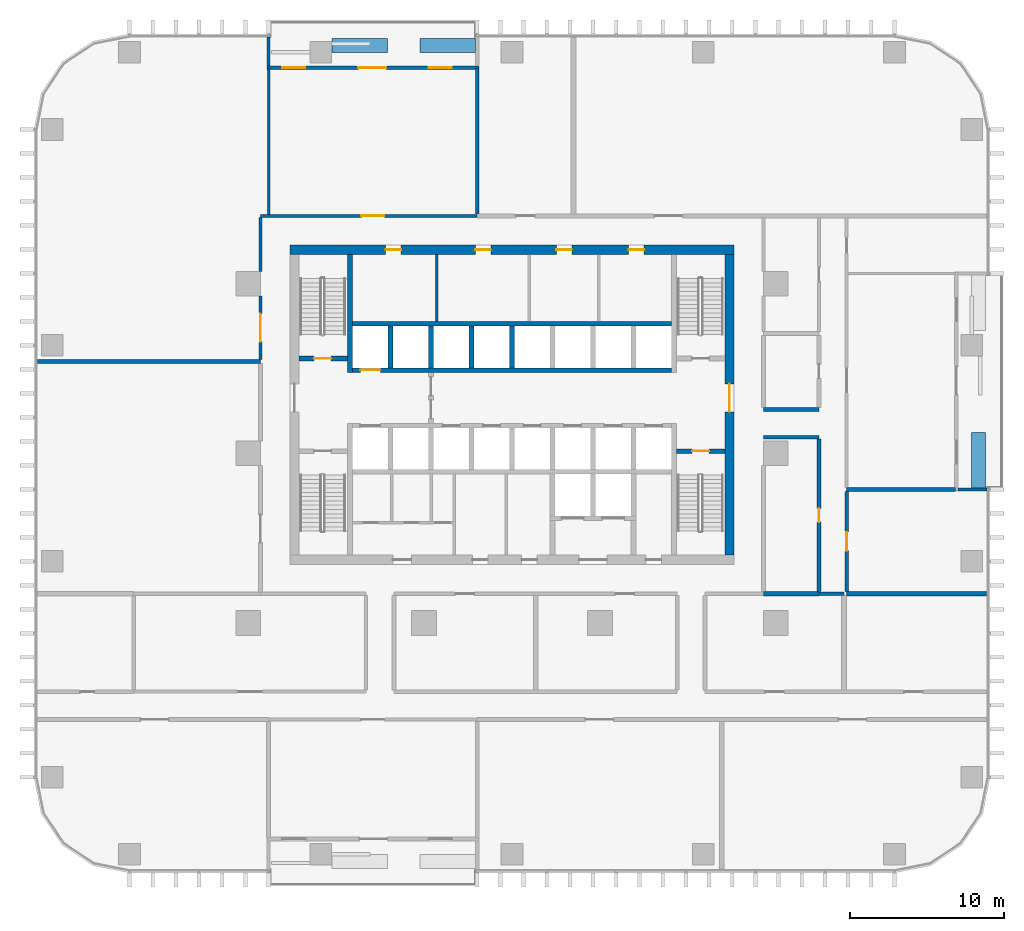
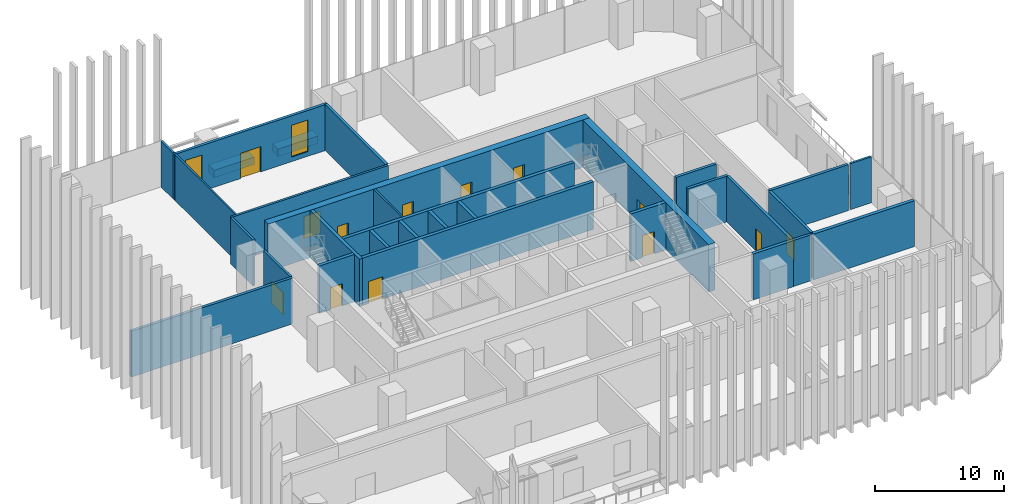
# One storey, part 9 of 17: 32 walls, 13 doors, 2 windows, 15 openings.
"""IFC4 building model written with IfcOpenShell, lengths in metres."""

from ifc_helpers import new_model, si_unit, direction, frame, frame_2d, origin, place, context, subcontext, project, spatial, rectangle, extrude, material, layer, layer_set, type_object, element, fill, save


model = new_model("IFC4")

# Units and contexts
model_context = context("Model", 3, precision=1e-05, world=origin(), true_north=direction((0.0, 1.0)))
body_context = subcontext(model_context, "Body", "Model", "MODEL_VIEW")
ifc_project = project(units=[si_unit("LENGTHUNIT", "METRE"), si_unit("AREAUNIT", "SQUARE_METRE"), si_unit("VOLUMEUNIT", "CUBIC_METRE"), si_unit("PLANEANGLEUNIT", "RADIAN"), si_unit("MASSUNIT", "GRAM", prefix="KILO")], contexts=[model_context])

# Site, building, storey
site_placement = place(None, origin())
site = spatial("IfcSite", under=ifc_project, at=site_placement, CompositionType="ELEMENT")
building_placement = place(site_placement, origin())
building = spatial("IfcBuilding", under=site, at=building_placement, Name="Mopane Tessera Tower", CompositionType="ELEMENT")
storey_placement = place(building_placement, frame((0.0, 0.0, 74.199951171875)))
storey = spatial("IfcBuildingStorey", under=building, at=storey_placement, Name="L14", CompositionType="ELEMENT", Elevation=74.199951171875)

# Wall
ifc_material_1 = material(Name="Fire-rated gypsum board partition")
ifc_layer_1 = layer(ifc_material_1, 0.14990234375)
ifc_layer_set_1 = layer_set([ifc_layer_1], Name="Fire-rated gypsum board partition")
wall_type_1 = type_object("IfcWallType", Name="Core room partition 150 mm", PredefinedType="PARTITIONING", material=ifc_layer_set_1)
wall_1_placement = place(storey_placement, frame((-4.875, 8.550048828125, 0.0), z_axis=(0.0, 0.0, 1.0), x_axis=(0.0, 1.0, 0.0)))
element("IfcWall", 1, at=wall_1_placement, inside=storey, type_object=wall_type_1, Name="L14 Room partition", PredefinedType="PARTITIONING", context=body_context, shape_type="SweptSolid", body=[
    extrude(rectangle(XDim=4.349853515625, YDim=0.14990234375, at=frame_2d((2.1748046875, 0.0))), origin(), (0.0, 0.0, 1.0), 4.5),
])

# Wall, openings, doors
ifc_material_2 = material(Name="Concrete C70/85", Category="concrete")
ifc_layer_2 = layer(ifc_material_2, 0.60009765625)
ifc_layer_set_2 = layer_set([ifc_layer_2], Name="Concrete C70/85")
wall_type_2 = type_object("IfcWallType", Name="Core shear wall 600 mm", PredefinedType="SHEAR", material=ifc_layer_set_2)
wall_2_placement = place(storey_placement, frame((-14.39990234375, 13.199951171875, 0.0), z_axis=(0.0, 0.0, 1.0), x_axis=(1.0, 0.0, 0.0)))
wall_2 = element("IfcWall", 2, at=wall_2_placement, inside=storey, type_object=wall_type_2, Name="L14 Core wall north", PredefinedType="SHEAR", context=body_context, shape_type="SweptSolid", body=[
    extrude(rectangle(XDim=28.7998046875, YDim=0.60009765625, at=frame_2d((14.39990234375, 0.0))), origin(), (0.0, 0.0, 1.0), 4.5),
])
opening_1_placement = place(wall_2_placement, frame((6.21240234375, 0.0, 0.0)))
opening_1 = element("IfcOpeningElement", 3, at=opening_1_placement, cuts=wall_2, Name="Opening RD1", PredefinedType="OPENING", context=body_context, shape_type="SweptSolid", body=[
    extrude(rectangle(XDim=1.0, YDim=2.10009765625, at=frame_2d((0.5, 1.050048828125))), frame((0.0, 0.31201171875, 0.0), z_axis=(0.0, -1.0, 0.0), x_axis=(1.0, 0.0, 0.0)), (0.0, 0.0, 1.0), 0.6240234375),
])
opening_2_placement = place(wall_2_placement, frame((12.02490234375, 0.0, 0.0)))
opening_2 = element("IfcOpeningElement", 4, at=opening_2_placement, cuts=wall_2, Name="Opening RD1", PredefinedType="OPENING", context=body_context, shape_type="SweptSolid", body=[
    extrude(rectangle(XDim=1.0, YDim=2.10009765625, at=frame_2d((0.5, 1.050048828125))), frame((0.0, 0.31201171875, 0.0), z_axis=(0.0, -1.0, 0.0), x_axis=(1.0, 0.0, 0.0)), (0.0, 0.0, 1.0), 0.6240234375),
])
opening_3_placement = place(wall_2_placement, frame((17.27490234375, 0.0, 0.0)))
opening_3 = element("IfcOpeningElement", 5, at=opening_3_placement, cuts=wall_2, Name="Opening RD1", PredefinedType="OPENING", context=body_context, shape_type="SweptSolid", body=[
    extrude(rectangle(XDim=1.0, YDim=2.10009765625, at=frame_2d((0.5, 1.050048828125))), frame((0.0, 0.31201171875, 0.0), z_axis=(0.0, -1.0, 0.0), x_axis=(1.0, 0.0, 0.0)), (0.0, 0.0, 1.0), 0.6240234375),
])
opening_4_placement = place(wall_2_placement, frame((21.96240234375, 0.0, 0.0)))
opening_4 = element("IfcOpeningElement", 6, at=opening_4_placement, cuts=wall_2, Name="Opening RD1", PredefinedType="OPENING", context=body_context, shape_type="SweptSolid", body=[
    extrude(rectangle(XDim=1.0, YDim=2.10009765625, at=frame_2d((0.5, 1.050048828125))), frame((0.0, 0.31201171875, 0.0), z_axis=(0.0, -1.0, 0.0), x_axis=(1.0, 0.0, 0.0)), (0.0, 0.0, 1.0), 0.6240234375),
])
ifc_material_3 = material(Name="Timber door", Category="wood")
door_type_1 = type_object("IfcDoorType", Name="Core room door 1000 x 2100", OperationType="SINGLE_SWING_LEFT", PredefinedType="DOOR", material=ifc_material_3)
door_1_placement = place(opening_1_placement, origin())
door_1 = element("IfcDoor", 7, at=door_1_placement, inside=storey, type_object=door_type_1, Name="L14 Room door", OperationType="SINGLE_SWING_LEFT", OverallHeight=2.10009765625, OverallWidth=1.0, PredefinedType="DOOR", context=body_context, shape_type="SweptSolid", body=[
    extrude(rectangle(XDim=1.0, YDim=2.10009765625, at=frame_2d((0.5, 1.050048828125))), frame((0.0, 0.02490234375, 0.0), z_axis=(0.0, -1.0, 0.0), x_axis=(1.0, 0.0, 0.0)), (0.0, 0.0, 1.0), 0.050048828125),
])
fill(opening_1, door_1)
door_2_placement = place(opening_2_placement, origin())
door_2 = element("IfcDoor", 8, at=door_2_placement, inside=storey, type_object=door_type_1, Name="L14 Room door", OperationType="SINGLE_SWING_LEFT", OverallHeight=2.10009765625, OverallWidth=1.0, PredefinedType="DOOR", context=body_context, shape_type="SweptSolid", body=[
    extrude(rectangle(XDim=1.0, YDim=2.10009765625, at=frame_2d((0.5, 1.050048828125))), frame((0.0, 0.02490234375, 0.0), z_axis=(0.0, -1.0, 0.0), x_axis=(1.0, 0.0, 0.0)), (0.0, 0.0, 1.0), 0.050048828125),
])
fill(opening_2, door_2)
door_3_placement = place(opening_3_placement, origin())
door_3 = element("IfcDoor", 9, at=door_3_placement, inside=storey, type_object=door_type_1, Name="L14 Room door", OperationType="SINGLE_SWING_LEFT", OverallHeight=2.10009765625, OverallWidth=1.0, PredefinedType="DOOR", context=body_context, shape_type="SweptSolid", body=[
    extrude(rectangle(XDim=1.0, YDim=2.10009765625, at=frame_2d((0.5, 1.050048828125))), frame((0.0, 0.02490234375, 0.0), z_axis=(0.0, -1.0, 0.0), x_axis=(1.0, 0.0, 0.0)), (0.0, 0.0, 1.0), 0.050048828125),
])
fill(opening_3, door_3)
door_4_placement = place(opening_4_placement, origin())
door_4 = element("IfcDoor", 10, at=door_4_placement, inside=storey, type_object=door_type_1, Name="L14 Room door", OperationType="SINGLE_SWING_LEFT", OverallHeight=2.10009765625, OverallWidth=1.0, PredefinedType="DOOR", context=body_context, shape_type="SweptSolid", body=[
    extrude(rectangle(XDim=1.0, YDim=2.10009765625, at=frame_2d((0.5, 1.050048828125))), frame((0.0, 0.02490234375, 0.0), z_axis=(0.0, -1.0, 0.0), x_axis=(1.0, 0.0, 0.0)), (0.0, 0.0, 1.0), 0.050048828125),
])
fill(opening_4, door_4)

# Wall, opening, door
wall_3_placement = place(storey_placement, frame((14.10009765625, -6.60009765625, 0.0), z_axis=(0.0, 0.0, 1.0), x_axis=(0.0, 1.0, 0.0)))
wall_3 = element("IfcWall", 11, at=wall_3_placement, inside=storey, type_object=wall_type_2, Name="L14 Core wall east", PredefinedType="SHEAR", context=body_context, shape_type="SweptSolid", body=[
    extrude(rectangle(XDim=19.5, YDim=0.60009765625, at=frame_2d((9.75, 0.0))), origin(), (0.0, 0.0, 1.0), 4.5),
])
opening_5_placement = place(wall_3_placement, frame((9.300048828125, 0.0, 0.0)))
opening_5 = element("IfcOpeningElement", 12, at=opening_5_placement, cuts=wall_3, Name="Opening SD2", PredefinedType="OPENING", context=body_context, shape_type="SweptSolid", body=[
    extrude(rectangle(XDim=1.800048828125, YDim=2.10009765625, at=frame_2d((0.89990234375, 1.050048828125))), frame((0.0, 0.31201171875, 0.0), z_axis=(0.0, -1.0, 0.0), x_axis=(1.0, 0.0, 0.0)), (0.0, 0.0, 1.0), 0.6240234375),
])
ifc_material_4 = material(Name="Steel fire door", Category="steel")
door_type_2 = type_object("IfcDoorType", Name="Core entrance double door 1800 x 2100", OperationType="DOUBLE_DOOR_SINGLE_SWING", PredefinedType="DOOR", material=ifc_material_4)
door_5_placement = place(opening_5_placement, origin())
door_5 = element("IfcDoor", 13, at=door_5_placement, inside=storey, type_object=door_type_2, Name="L14 Core entrance door east", OperationType="DOUBLE_DOOR_SINGLE_SWING", OverallHeight=2.10009765625, OverallWidth=1.800048828125, PredefinedType="DOOR", context=body_context, shape_type="SweptSolid", body=[
    extrude(rectangle(XDim=1.800048828125, YDim=2.10009765625, at=frame_2d((0.89990234375, 1.050048828125))), frame((0.0, 0.02490234375, 0.0), z_axis=(0.0, -1.0, 0.0), x_axis=(1.0, 0.0, 0.0)), (0.0, 0.0, 1.0), 0.050048828125),
])
fill(opening_5, door_5)

# Wall
ifc_material_5 = material(Name="Concrete C60/75", Category="concrete")
ifc_layer_3 = layer(ifc_material_5, 0.300048828125)
ifc_layer_set_3 = layer_set([ifc_layer_3], Name="Concrete C60/75")
wall_type_3 = type_object("IfcWallType", Name="Core spine wall 300 mm", PredefinedType="SHEAR", material=ifc_layer_set_3)
wall_4_placement = place(storey_placement, frame((-10.5, 5.25, 0.0), z_axis=(0.0, 0.0, 1.0), x_axis=(0.0, 1.0, 0.0)))
element("IfcWall", 14, at=wall_4_placement, inside=storey, type_object=wall_type_3, Name="L14 Core spine wall", PredefinedType="SHEAR", context=body_context, shape_type="SweptSolid", body=[
    extrude(rectangle(XDim=7.64990234375, YDim=0.300048828125, at=frame_2d((3.824951171875, 0.0))), origin(), (0.0, 0.0, 1.0), 4.5),
])

# Wall, opening, door
ifc_material_6 = material(Name="Gypsum board on steel studs, two layers each face, mineral wool infill", Category="steel")
ifc_layer_4 = layer(ifc_material_6, 0.199951171875)
ifc_layer_set_4 = layer_set([ifc_layer_4], Name="Gypsum board on steel studs, two layers each face, mineral wool infill")
wall_type_4 = type_object("IfcWallType", Name="Gypsum board corridor wall 200, rated EI 60", PredefinedType="PARTITIONING", material=ifc_layer_set_4)
wall_5_placement = place(storey_placement, frame((-16.300048828125, 15.39990234375, 0.0), z_axis=(0.0, 0.0, 1.0), x_axis=(1.0, 0.0, 0.0)))
wall_5 = element("IfcWall", 15, at=wall_5_placement, inside=storey, type_object=wall_type_4, Name="Partition L14:021", PredefinedType="PARTITIONING", context=body_context, shape_type="SweptSolid", body=[
    extrude(rectangle(XDim=14.045166015625, YDim=0.199951171875, at=frame_2d((7.0224609375, 0.0))), origin(), (0.0, 0.0, 1.0), 4.35009765625),
])
opening_6_placement = place(wall_5_placement, frame((6.532470703125, 0.0, 0.0)))
opening_6 = element("IfcOpeningElement", 16, at=opening_6_placement, cuts=wall_5, Name="Opening L14-19", PredefinedType="OPENING", context=body_context, shape_type="SweptSolid", body=[
    extrude(rectangle(XDim=1.5, YDim=2.10009765625, at=frame_2d((0.75, 1.050048828125))), frame((0.0, 0.112060546875, 0.0), z_axis=(0.0, -1.0, 0.0), x_axis=(1.0, 0.0, 0.0)), (0.0, 0.0, 1.0), 0.223876953125),
])
ifc_material_7 = material(Name="Timber veneered steel-framed fire door", Category="steel")
door_type_3 = type_object("IfcDoorType", Name="Fire door pair FD60 1500 x 2100", OperationType="DOUBLE_DOOR_SINGLE_SWING", PredefinedType="DOOR", material=ifc_material_7)
door_6_placement = place(opening_6_placement, origin())
door_6 = element("IfcDoor", 17, at=door_6_placement, inside=storey, type_object=door_type_3, Name="Door L14-19", ObjectType="D17A", OperationType="DOUBLE_DOOR_SINGLE_SWING", OverallHeight=2.10009765625, OverallWidth=1.5, PredefinedType="DOOR", context=body_context, shape_type="SweptSolid", body=[
    extrude(rectangle(XDim=1.5, YDim=2.10009765625, at=frame_2d((0.75, 1.050048828125))), frame((0.0, 0.02490234375, 0.0), z_axis=(0.0, -1.0, 0.0), x_axis=(1.0, 0.0, 0.0)), (0.0, 0.0, 1.0), 0.050048828125),
])
fill(opening_6, door_6)

wall_6_placement = place(storey_placement, frame((-16.300048828125, 6.0849609375, 0.0), z_axis=(0.0, 0.0, 1.0), x_axis=(0.0, 1.0, 0.0)))
wall_6 = element("IfcWall", 18, at=wall_6_placement, inside=storey, type_object=wall_type_4, Name="Partition L14:024", PredefinedType="PARTITIONING", context=body_context, shape_type="SweptSolid", body=[
    extrude(rectangle(XDim=4.114990234375, YDim=0.199951171875, at=frame_2d((2.0576171875, 0.0))), origin(), (0.0, 0.0, 1.0), 4.35009765625),
])
opening_7_placement = place(wall_6_placement, frame((1.157470703125, 0.0, 0.0)))
opening_7 = element("IfcOpeningElement", 19, at=opening_7_placement, cuts=wall_6, Name="Opening L14-03", PredefinedType="OPENING", context=body_context, shape_type="SweptSolid", body=[
    extrude(rectangle(XDim=1.800048828125, YDim=2.10009765625, at=frame_2d((0.89990234375, 1.050048828125))), frame((0.0, 0.112060546875, 0.0), z_axis=(0.0, -1.0, 0.0), x_axis=(1.0, 0.0, 0.0)), (0.0, 0.0, 1.0), 0.223876953125),
])
ifc_material_8 = material(Name="Timber veneered steel-framed fire door", Category="steel")
door_type_4 = type_object("IfcDoorType", Name="Fire door pair FD60 1800 x 2100", OperationType="DOUBLE_DOOR_SINGLE_SWING", PredefinedType="DOOR", material=ifc_material_8)
door_7_placement = place(opening_7_placement, origin())
door_7 = element("IfcDoor", 20, at=door_7_placement, inside=storey, type_object=door_type_4, Name="Door L14-03", ObjectType="D20A", OperationType="DOUBLE_DOOR_SINGLE_SWING", OverallHeight=2.10009765625, OverallWidth=1.800048828125, PredefinedType="DOOR", context=body_context, shape_type="SweptSolid", body=[
    extrude(rectangle(XDim=1.800048828125, YDim=2.10009765625, at=frame_2d((0.89990234375, 1.050048828125))), frame((0.0, 0.02490234375, 0.0), z_axis=(0.0, -1.0, 0.0), x_axis=(1.0, 0.0, 0.0)), (0.0, 0.0, 1.0), 0.050048828125),
])
fill(opening_7, door_7)

# Walls
wall_7_placement = place(storey_placement, frame((-16.300048828125, 11.800048828125, 0.0), z_axis=(0.0, 0.0, 1.0), x_axis=(0.0, 1.0, 0.0)))
element("IfcWall", 21, at=wall_7_placement, inside=storey, type_object=wall_type_4, Name="Partition L14:025", PredefinedType="PARTITIONING", context=body_context, shape_type="SweptSolid", body=[
    extrude(rectangle(XDim=3.5, YDim=0.199951171875, at=frame_2d((1.75, 0.0))), origin(), (0.0, 0.0, 1.0), 4.35009765625),
])
ifc_material_9 = material(Name="Gypsum board on steel studs, mineral wool infill", Category="steel")
ifc_layer_5 = layer(ifc_material_9, 0.14990234375)
ifc_layer_set_5 = layer_set([ifc_layer_5], Name="Gypsum board on steel studs, mineral wool infill")
wall_type_5 = type_object("IfcWallType", Name="Gypsum board partition 150, rated EI 60", PredefinedType="PARTITIONING", material=ifc_layer_set_5)
wall_8_placement = place(storey_placement, frame((-15.780029296875, 15.5, 0.0), z_axis=(0.0, 0.0, 1.0), x_axis=(0.0, 1.0, 0.0)))
element("IfcWall", 22, at=wall_8_placement, inside=storey, type_object=wall_type_5, Name="Partition L14:028", PredefinedType="PARTITIONING", context=body_context, shape_type="SweptSolid", body=[
    extrude(rectangle(XDim=9.449951171875, YDim=0.14990234375, at=frame_2d((4.72509765625, 0.0))), origin(), (0.0, 0.0, 1.0), 4.35009765625),
])

# Wall, opening, door
ifc_material_10 = material(Name="Concrete C50/60", Category="concrete")
ifc_layer_6 = layer(ifc_material_10, 0.300048828125)
ifc_layer_set_6 = layer_set([ifc_layer_6], Name="Concrete C50/60")
wall_type_6 = type_object("IfcWallType", Name="Lift and stair shaft wall 300 mm", PredefinedType="SOLIDWALL", material=ifc_layer_set_6)
wall_9_placement = place(storey_placement, frame((-13.800048828125, 6.14990234375, 0.0), z_axis=(0.0, 0.0, 1.0), x_axis=(1.0, 0.0, 0.0)))
wall_9 = element("IfcWall", 23, at=wall_9_placement, inside=storey, type_object=wall_type_6, Name="L14 Stair enclosure wall", PredefinedType="SOLIDWALL", context=body_context, shape_type="SweptSolid", body=[
    extrude(rectangle(XDim=3.150146484375, YDim=0.300048828125, at=frame_2d((1.5751953125, 0.0))), origin(), (0.0, 0.0, 1.0), 4.5),
])
opening_8_placement = place(wall_9_placement, frame((0.97509765625, 0.0, 0.0)))
opening_8 = element("IfcOpeningElement", 24, at=opening_8_placement, cuts=wall_9, Name="Opening SD1", PredefinedType="OPENING", context=body_context, shape_type="SweptSolid", body=[
    extrude(rectangle(XDim=1.10009765625, YDim=2.10009765625, at=frame_2d((0.550048828125, 1.050048828125))), frame((0.0, 0.162109375, 0.0), z_axis=(0.0, -1.0, 0.0), x_axis=(1.0, 0.0, 0.0)), (0.0, 0.0, 1.0), 0.323974609375),
])
ifc_material_11 = material(Name="Steel fire door", Category="steel")
door_type_5 = type_object("IfcDoorType", Name="Stair fire door 1100 x 2100", OperationType="SINGLE_SWING_LEFT", PredefinedType="DOOR", material=ifc_material_11)
door_8_placement = place(opening_8_placement, origin())
door_8 = element("IfcDoor", 25, at=door_8_placement, inside=storey, type_object=door_type_5, Name="L14 Stair door ST2", OperationType="SINGLE_SWING_LEFT", OverallHeight=2.10009765625, OverallWidth=1.10009765625, PredefinedType="DOOR", context=body_context, shape_type="SweptSolid", body=[
    extrude(rectangle(XDim=1.10009765625, YDim=2.10009765625, at=frame_2d((0.550048828125, 1.050048828125))), frame((0.0, 0.02490234375, 0.0), z_axis=(0.0, -1.0, 0.0), x_axis=(1.0, 0.0, 0.0)), (0.0, 0.0, 1.0), 0.050048828125),
])
fill(opening_8, door_8)

wall_10_placement = place(storey_placement, frame((10.64990234375, 0.14990234375, 0.0), z_axis=(0.0, 0.0, 1.0), x_axis=(1.0, 0.0, 0.0)))
wall_10 = element("IfcWall", 26, at=wall_10_placement, inside=storey, type_object=wall_type_6, Name="L14 Stair enclosure wall", PredefinedType="SOLIDWALL", context=body_context, shape_type="SweptSolid", body=[
    extrude(rectangle(XDim=3.150146484375, YDim=0.300048828125, at=frame_2d((1.5751953125, 0.0))), origin(), (0.0, 0.0, 1.0), 4.5),
])
opening_9_placement = place(wall_10_placement, frame((1.02490234375, 0.0, 0.0)))
opening_9 = element("IfcOpeningElement", 27, at=opening_9_placement, cuts=wall_10, Name="Opening SD1", PredefinedType="OPENING", context=body_context, shape_type="SweptSolid", body=[
    extrude(rectangle(XDim=1.10009765625, YDim=2.10009765625, at=frame_2d((0.550048828125, 1.050048828125))), frame((0.0, 0.162109375, 0.0), z_axis=(0.0, -1.0, 0.0), x_axis=(1.0, 0.0, 0.0)), (0.0, 0.0, 1.0), 0.323974609375),
])
door_9_placement = place(opening_9_placement, origin())
door_9 = element("IfcDoor", 28, at=door_9_placement, inside=storey, type_object=door_type_5, Name="L14 Stair door ST3", OperationType="SINGLE_SWING_RIGHT", OverallHeight=2.10009765625, OverallWidth=1.10009765625, PredefinedType="DOOR", context=body_context, shape_type="SweptSolid", body=[
    extrude(rectangle(XDim=1.10009765625, YDim=2.10009765625, at=frame_2d((0.550048828125, 1.050048828125))), frame((0.0, 0.02490234375, 0.0), z_axis=(0.0, -1.0, 0.0), x_axis=(1.0, 0.0, 0.0)), (0.0, 0.0, 1.0), 0.050048828125),
])
fill(opening_9, door_9)

wall_11_placement = place(storey_placement, frame((-10.35009765625, 5.39990234375, 0.0), z_axis=(0.0, 0.0, 1.0), x_axis=(1.0, 0.0, 0.0)))
wall_11 = element("IfcWall", 29, at=wall_11_placement, inside=storey, type_object=wall_type_6, Name="L14 Lift shaft front wall", PredefinedType="SOLIDWALL", context=body_context, shape_type="SweptSolid", body=[
    extrude(rectangle(XDim=20.7001953125, YDim=0.300048828125, at=frame_2d((10.35009765625, 0.0))), origin(), (0.0, 0.0, 1.0), 4.5),
])
opening_10_placement = place(wall_11_placement, frame((0.512451171875, 0.0, 0.0)))
opening_10 = element("IfcOpeningElement", 30, at=opening_10_placement, cuts=wall_11, Name="Opening LD2", PredefinedType="OPENING", context=body_context, shape_type="SweptSolid", body=[
    extrude(rectangle(XDim=1.300048828125, YDim=2.10009765625, at=frame_2d((0.64990234375, 1.050048828125))), frame((0.0, 0.162109375, 0.0), z_axis=(0.0, -1.0, 0.0), x_axis=(1.0, 0.0, 0.0)), (0.0, 0.0, 1.0), 0.323974609375),
])
ifc_material_12 = material(Name="Stainless steel sliding door", Category="steel")
door_type_6 = type_object("IfcDoorType", Name="Fire-fighting lift landing door 1300 x 2100", OperationType="DOUBLE_DOOR_SLIDING", PredefinedType="DOOR", material=ifc_material_12)
door_10_placement = place(opening_10_placement, origin())
door_10 = element("IfcDoor", 31, at=door_10_placement, inside=storey, type_object=door_type_6, Name="L14 Lift landing door FF2", OperationType="DOUBLE_DOOR_SLIDING", OverallHeight=2.10009765625, OverallWidth=1.300048828125, PredefinedType="DOOR", context=body_context, shape_type="SweptSolid", body=[
    extrude(rectangle(XDim=1.300048828125, YDim=2.10009765625, at=frame_2d((0.64990234375, 1.050048828125))), frame((0.0, 0.02490234375, 0.0), z_axis=(0.0, -1.0, 0.0), x_axis=(1.0, 0.0, 0.0)), (0.0, 0.0, 1.0), 0.050048828125),
])
fill(opening_10, door_10)

# Walls
wall_12_placement = place(storey_placement, frame((-10.35009765625, 8.39990234375, 0.0), z_axis=(0.0, 0.0, 1.0), x_axis=(1.0, 0.0, 0.0)))
element("IfcWall", 32, at=wall_12_placement, inside=storey, type_object=wall_type_6, Name="L14 Lift shaft rear wall", PredefinedType="SOLIDWALL", context=body_context, shape_type="SweptSolid", body=[
    extrude(rectangle(XDim=20.7001953125, YDim=0.300048828125, at=frame_2d((10.35009765625, 0.0))), origin(), (0.0, 0.0, 1.0), 4.5),
])
for number, where, z_axis, x_axis, name in (
    (33, (-7.875, 5.550048828125, 0.0), (0.0, 0.0, 1.0), (0.0, 1.0, 0.0), "L14 Lift shaft wall"),
    (34, (-5.25, 5.550048828125, 0.0), (0.0, 0.0, 1.0), (0.0, 1.0, 0.0), "L14 Lift shaft wall"),
    (35, (-2.625, 5.550048828125, 0.0), (0.0, 0.0, 1.0), (0.0, 1.0, 0.0), "L14 Lift shaft wall"),
    (36, (0.0, 5.550048828125, 0.0), (0.0, 0.0, 1.0), (0.0, 1.0, 0.0), "L14 Lift shaft wall"),
):
    element("IfcWall", number, at=place(storey_placement, frame(where, z_axis=z_axis, x_axis=x_axis)), inside=storey, type_object=wall_type_6, Name=name, PredefinedType="SOLIDWALL", context=body_context, shape_type="SweptSolid", body=[
        extrude(rectangle(XDim=2.699951171875, YDim=0.300048828125, at=frame_2d((1.35009765625, 0.0))), origin(), (0.0, 0.0, 1.0), 4.5),
    ])
ifc_material_13 = material(Name="Reinforced concrete C32/40 with waterproofing", Category="concrete")
ifc_layer_7 = layer(ifc_material_13, 0.89990234375)
ifc_layer_set_7 = layer_set([ifc_layer_7], Name="Reinforced concrete C32/40 with waterproofing")
wall_type_7 = type_object("IfcWallType", Name="Planter trough 3600 x 900", PredefinedType="STANDARD", material=ifc_layer_set_7)
for number, where, z_axis, x_axis, name in (
    (37, (30.25, -2.2333984375, 0.0), (0.0, 0.0, 1.0), (0.0, 1.0, 0.0), "e:nw:L14:N1:pl0"),
    (38, (-2.3544921875, 26.449951171875, 0.0), (0.0, 0.0, 1.0), (-1.0, 0.0, 0.0), "e:nw:L14:N2:pl0"),
    (39, (-8.079833984375, 26.449951171875, 0.0), (0.0, 0.0, 1.0), (-1.0, 0.0, 0.0), "e:nw:L14:N2:pl1"),
):
    element("IfcWall", number, at=place(storey_placement, frame(where, z_axis=z_axis, x_axis=x_axis)), inside=storey, type_object=wall_type_7, Name=name, PredefinedType="STANDARD", context=body_context, shape_type="SweptSolid", body=[
        extrude(rectangle(XDim=3.60009765625, YDim=0.89990234375, at=frame_2d((1.800048828125, 0.0))), origin(), (0.0, 0.0, 1.0), 0.699951171875),
    ])
ifc_material_14 = material(Name="Plastered concrete blockwork C20/25", Category="masonry")
ifc_layer_8 = layer(ifc_material_14, 0.300048828125)
ifc_layer_set_8 = layer_set([ifc_layer_8], Name="Plastered concrete blockwork C20/25")
wall_type_8 = type_object("IfcWallType", Name="Plastered blockwork separation wall 300, rated EI 120", PredefinedType="PARTITIONING", material=ifc_layer_set_8)
wall_13_placement = place(storey_placement, frame((16.300048828125, -9.10009765625, 0.0), z_axis=(0.0, 0.0, 1.0), x_axis=(1.0, 0.0, 0.0)))
element("IfcWall", 40, at=wall_13_placement, inside=storey, type_object=wall_type_8, Name="Partition L14:013", PredefinedType="PARTITIONING", context=body_context, shape_type="SweptSolid", body=[
    extrude(rectangle(XDim=3.599853515625, YDim=0.300048828125, at=frame_2d((1.7998046875, 0.0))), origin(), (0.0, 0.0, 1.0), 4.35009765625),
])
wall_14_placement = place(storey_placement, frame((21.699951171875, -9.10009765625, 0.0), z_axis=(0.0, 0.0, 1.0), x_axis=(1.0, 0.0, 0.0)))
element("IfcWall", 41, at=wall_14_placement, inside=storey, type_object=wall_type_8, Name="Partition L14:014", PredefinedType="PARTITIONING", context=body_context, shape_type="SweptSolid", body=[
    extrude(rectangle(XDim=9.050048828125, YDim=0.300048828125, at=frame_2d((4.52490234375, 0.0))), origin(), (0.0, 0.0, 1.0), 4.35009765625),
])
ifc_material_15 = material(Name="Plastered concrete blockwork C20/25", Category="masonry")
ifc_layer_9 = layer(ifc_material_15, 0.25)
ifc_layer_set_9 = layer_set([ifc_layer_9], Name="Plastered concrete blockwork C20/25")
wall_type_9 = type_object("IfcWallType", Name="Plastered blockwork wall 250, rated EI 120", PredefinedType="PARTITIONING", material=ifc_layer_set_9)
wall_15_placement = place(storey_placement, frame((19.89990234375, -9.10009765625, 0.0), z_axis=(0.0, 0.0, 1.0), x_axis=(1.0, 0.0, 0.0)))
element("IfcWall", 42, at=wall_15_placement, inside=storey, type_object=wall_type_9, Name="Partition L14:011", PredefinedType="PARTITIONING", context=body_context, shape_type="SweptSolid", body=[
    extrude(rectangle(XDim=1.630126953125, YDim=0.25, at=frame_2d((0.81494140625, 0.0))), origin(), (0.0, 0.0, 1.0), 4.35009765625),
])
wall_16_placement = place(storey_placement, frame((21.699951171875, -2.3349609375, 0.0), z_axis=(0.0, 0.0, 1.0), x_axis=(1.0, 0.0, 0.0)))
element("IfcWall", 43, at=wall_16_placement, inside=storey, type_object=wall_type_9, Name="Partition L14:015", PredefinedType="PARTITIONING", context=body_context, shape_type="SweptSolid", body=[
    extrude(rectangle(XDim=7.050048828125, YDim=0.25, at=frame_2d((3.52490234375, 0.0))), origin(), (0.0, 0.0, 1.0), 4.35009765625),
])
for number, where, z_axis, x_axis, name in (
    (44, (16.300048828125, 1.050048828125, 0.0), (0.0, 0.0, 1.0), (1.0, 0.0, 0.0), "Partition L14:016"),
    (45, (16.300048828125, 2.85009765625, 0.0), (0.0, 0.0, 1.0), (1.0, 0.0, 0.0), "Partition L14:017"),
):
    element("IfcWall", number, at=place(storey_placement, frame(where, z_axis=z_axis, x_axis=x_axis)), inside=storey, type_object=wall_type_9, Name=name, PredefinedType="PARTITIONING", context=body_context, shape_type="SweptSolid", body=[
        extrude(rectangle(XDim=3.599853515625, YDim=0.25, at=frame_2d((1.7998046875, 0.0))), origin(), (0.0, 0.0, 1.0), 4.35009765625),
    ])
wall_17_placement = place(storey_placement, frame((-30.75, 5.9599609375, 0.0), z_axis=(0.0, 0.0, 1.0), x_axis=(1.0, 0.0, 0.0)))
element("IfcWall", 46, at=wall_17_placement, inside=storey, type_object=wall_type_9, Name="Partition L14:018", PredefinedType="PARTITIONING", context=body_context, shape_type="SweptSolid", body=[
    extrude(rectangle(XDim=14.449951171875, YDim=0.25, at=frame_2d((7.22509765625, 0.0))), origin(), (0.0, 0.0, 1.0), 4.35009765625),
])
wall_18_placement = place(storey_placement, frame((-2.2548828125, 15.52490234375, 0.0), z_axis=(0.0, 0.0, 1.0), x_axis=(0.0, 1.0, 0.0)))
element("IfcWall", 47, at=wall_18_placement, inside=storey, type_object=wall_type_9, Name="Partition L14:033", PredefinedType="PARTITIONING", context=body_context, shape_type="SweptSolid", body=[
    extrude(rectangle(XDim=9.425048828125, YDim=0.25, at=frame_2d((4.71240234375, 0.0))), origin(), (0.0, 0.0, 1.0), 4.35009765625),
])

# Wall, opening, door
wall_19_placement = place(storey_placement, frame((19.89990234375, -8.949951171875, 0.0), z_axis=(0.0, 0.0, 1.0), x_axis=(0.0, 1.0, 0.0)))
wall_19 = element("IfcWall", 48, at=wall_19_placement, inside=storey, type_object=wall_type_9, Name="Partition L14:044", PredefinedType="PARTITIONING", context=body_context, shape_type="SweptSolid", body=[
    extrude(rectangle(XDim=9.875, YDim=0.25, at=frame_2d((4.9375, 0.0))), origin(), (0.0, 0.0, 1.0), 4.35009765625),
])
opening_11_placement = place(wall_19_placement, frame((4.487548828125, 0.0, 0.0)))
opening_11 = element("IfcOpeningElement", 49, at=opening_11_placement, cuts=wall_19, Name="Opening L14-18", PredefinedType="OPENING", context=body_context, shape_type="SweptSolid", body=[
    extrude(rectangle(XDim=0.89990234375, YDim=2.10009765625, at=frame_2d((0.449951171875, 1.050048828125))), frame((0.0, 0.136962890625, 0.0), z_axis=(0.0, -1.0, 0.0), x_axis=(1.0, 0.0, 0.0)), (0.0, 0.0, 1.0), 0.27392578125),
])
ifc_material_16 = material(Name="Timber veneered steel-framed fire door", Category="steel")
door_type_7 = type_object("IfcDoorType", Name="Fire door FD120 900 x 2100", OperationType="SINGLE_SWING_LEFT", PredefinedType="DOOR", material=ifc_material_16)
door_11_placement = place(opening_11_placement, origin())
door_11 = element("IfcDoor", 50, at=door_11_placement, inside=storey, type_object=door_type_7, Name="Door L14-18", ObjectType="D10B", OperationType="SINGLE_SWING_RIGHT", OverallHeight=2.10009765625, OverallWidth=0.89990234375, PredefinedType="DOOR", context=body_context, shape_type="SweptSolid", body=[
    extrude(rectangle(XDim=0.89990234375, YDim=2.10009765625, at=frame_2d((0.449951171875, 1.050048828125))), frame((0.0, 0.02490234375, 0.0), z_axis=(0.0, -1.0, 0.0), x_axis=(1.0, 0.0, 0.0)), (0.0, 0.0, 1.0), 0.050048828125),
])
fill(opening_11, door_11)

wall_20_placement = place(storey_placement, frame((21.699951171875, -8.949951171875, 0.0), z_axis=(0.0, 0.0, 1.0), x_axis=(0.0, 1.0, 0.0)))
wall_20 = element("IfcWall", 51, at=wall_20_placement, inside=storey, type_object=wall_type_9, Name="Partition L14:048", PredefinedType="PARTITIONING", context=body_context, shape_type="SweptSolid", body=[
    extrude(rectangle(XDim=6.489990234375, YDim=0.25, at=frame_2d((3.2451171875, 0.0))), origin(), (0.0, 0.0, 1.0), 4.35009765625),
])
opening_12_placement = place(wall_20_placement, frame((2.64501953125, 0.0, 0.0)))
opening_12 = element("IfcOpeningElement", 52, at=opening_12_placement, cuts=wall_20, Name="Opening L14-08", PredefinedType="OPENING", context=body_context, shape_type="SweptSolid", body=[
    extrude(rectangle(XDim=1.199951171875, YDim=2.10009765625, at=frame_2d((0.60009765625, 1.050048828125))), frame((0.0, 0.136962890625, 0.0), z_axis=(0.0, -1.0, 0.0), x_axis=(1.0, 0.0, 0.0)), (0.0, 0.0, 1.0), 0.27392578125),
])
ifc_material_17 = material(Name="Timber veneered steel-framed fire door", Category="steel")
door_type_8 = type_object("IfcDoorType", Name="Fire door FD120 1200 x 2100", OperationType="SINGLE_SWING_LEFT", PredefinedType="DOOR", material=ifc_material_17)
door_12_placement = place(opening_12_placement, origin())
door_12 = element("IfcDoor", 53, at=door_12_placement, inside=storey, type_object=door_type_8, Name="Door L14-08", ObjectType="D15B", OperationType="SINGLE_SWING_LEFT", OverallHeight=2.10009765625, OverallWidth=1.199951171875, PredefinedType="DOOR", context=body_context, shape_type="SweptSolid", body=[
    extrude(rectangle(XDim=1.199951171875, YDim=2.10009765625, at=frame_2d((0.60009765625, 1.050048828125))), frame((0.0, 0.02490234375, 0.0), z_axis=(0.0, -1.0, 0.0), x_axis=(1.0, 0.0, 0.0)), (0.0, 0.0, 1.0), 0.050048828125),
])
fill(opening_12, door_12)

# Walls
ifc_material_18 = material(Name="Blockwork with glazed tile facing", Category="masonry")
ifc_layer_10 = layer(ifc_material_18, 0.199951171875)
ifc_layer_set_10 = layer_set([ifc_layer_10], Name="Blockwork with glazed tile facing")
wall_type_10 = type_object("IfcWallType", Name="Terrace cheek wall 200", PredefinedType="STANDARD", material=ifc_layer_set_10)
for number, where, z_axis, x_axis, name in (
    (54, (30.800048828125, -2.333251953125, 0.0), (0.0, 0.0, 1.0), (-1.0, 0.0, 0.0), "e:nw:L14:N1:cheeka"),
    (55, (-15.78173828125, 27.0, 0.0), (0.0, 0.0, 1.0), (0.0, -1.0, 0.0), "e:nw:L14:N2:cheekb"),
):
    element("IfcWall", number, at=place(storey_placement, frame(where, z_axis=z_axis, x_axis=x_axis)), inside=storey, type_object=wall_type_10, Name=name, PredefinedType="STANDARD", context=body_context, shape_type="SweptSolid", body=[
        extrude(rectangle(XDim=1.875, YDim=0.199951171875, at=frame_2d((0.9375, 0.0))), origin(), (0.0, 0.0, 1.0), 4.35009765625),
    ])

# Wall, openings, windows, door
ifc_material_19 = material(Name="Blockwork with ochre glazed tile facing", Category="masonry")
ifc_layer_11 = layer(ifc_material_19, 0.25)
ifc_layer_set_11 = layer_set([ifc_layer_11], Name="Blockwork with ochre glazed tile facing")
wall_type_11 = type_object("IfcWallType", Name="Tile-clad external wall 250, ochre", PredefinedType="STANDARD", material=ifc_layer_set_11)
wall_21_placement = place(storey_placement, frame((-2.154541015625, 25.0, 0.0), z_axis=(0.0, 0.0, 1.0), x_axis=(-1.0, 0.0, 0.0)))
wall_21 = element("IfcWall", 56, at=wall_21_placement, inside=storey, type_object=wall_type_11, Name="e:nw:L14:N2:back", PredefinedType="STANDARD", context=body_context, shape_type="SweptSolid", body=[
    extrude(rectangle(XDim=13.727294921875, YDim=0.25, at=frame_2d((6.86376953125, 0.0))), origin(), (0.0, 0.0, 1.0), 4.35009765625),
])
opening_13_placement = place(wall_21_placement, frame((1.75, 0.0, 0.449951171875)))
opening_13 = element("IfcOpeningElement", 57, at=opening_13_placement, cuts=wall_21, Name="Opening NW142A", PredefinedType="OPENING", context=body_context, shape_type="SweptSolid", body=[
    extrude(rectangle(XDim=1.5, YDim=3.0, at=frame_2d((0.75, 1.5))), frame((0.0, 0.136962890625, 0.0), z_axis=(0.0, -1.0, 0.0), x_axis=(1.0, 0.0, 0.0)), (0.0, 0.0, 1.0), 0.27392578125),
])
opening_14_placement = place(wall_21_placement, frame((6.0, 0.0, 0.0)))
opening_14 = element("IfcOpeningElement", 58, at=opening_14_placement, cuts=wall_21, Name="Opening ND142", PredefinedType="OPENING", context=body_context, shape_type="SweptSolid", body=[
    extrude(rectangle(XDim=1.800048828125, YDim=2.39990234375, at=frame_2d((0.89990234375, 1.199951171875))), frame((0.0, 0.136962890625, 0.0), z_axis=(0.0, -1.0, 0.0), x_axis=(1.0, 0.0, 0.0)), (0.0, 0.0, 1.0), 0.27392578125),
])
opening_15_placement = place(wall_21_placement, frame((11.25, 0.0, 0.449951171875)))
opening_15 = element("IfcOpeningElement", 59, at=opening_15_placement, cuts=wall_21, Name="Opening NW142B", PredefinedType="OPENING", context=body_context, shape_type="SweptSolid", body=[
    extrude(rectangle(XDim=1.5, YDim=3.0, at=frame_2d((0.75, 1.5))), frame((0.0, 0.136962890625, 0.0), z_axis=(0.0, -1.0, 0.0), x_axis=(1.0, 0.0, 0.0)), (0.0, 0.0, 1.0), 0.27392578125),
])
ifc_material_20 = material(Name="Clear laminated glass", Category="glass")
window_type = type_object("IfcWindowType", Name="Fixed window 1500 x 3000", PartitioningType="SINGLE_PANEL", PredefinedType="WINDOW", material=ifc_material_20)
window_1_placement = place(opening_13_placement, origin())
window_1 = element("IfcWindow", 60, at=window_1_placement, inside=storey, type_object=window_type, Name="e:nw:L14:N2:win0", OverallHeight=3.0, OverallWidth=1.5, PartitioningType="SINGLE_PANEL", PredefinedType="WINDOW", context=body_context, shape_type="SweptSolid", body=[
    extrude(rectangle(XDim=1.5, YDim=3.0, at=frame_2d((0.75, 1.5))), frame((0.0, 0.030029296875, 0.0), z_axis=(0.0, -1.0, 0.0), x_axis=(1.0, 0.0, 0.0)), (0.0, 0.0, 1.0), 0.06005859375),
])
fill(opening_13, window_1)
window_2_placement = place(opening_15_placement, origin())
window_2 = element("IfcWindow", 61, at=window_2_placement, inside=storey, type_object=window_type, Name="e:nw:L14:N2:win2", OverallHeight=3.0, OverallWidth=1.5, PartitioningType="SINGLE_PANEL", PredefinedType="WINDOW", context=body_context, shape_type="SweptSolid", body=[
    extrude(rectangle(XDim=1.5, YDim=3.0, at=frame_2d((0.75, 1.5))), frame((0.0, 0.030029296875, 0.0), z_axis=(0.0, -1.0, 0.0), x_axis=(1.0, 0.0, 0.0)), (0.0, 0.0, 1.0), 0.06005859375),
])
fill(opening_15, window_2)
ifc_material_21 = material(Name="Aluminium and clear glass", Category="aluminium")
door_type_9 = type_object("IfcDoorType", Name="Terrace double door 1800 x 2400", OperationType="DOUBLE_DOOR_SINGLE_SWING", PredefinedType="DOOR", material=ifc_material_21)
door_13_placement = place(opening_14_placement, origin())
door_13 = element("IfcDoor", 62, at=door_13_placement, inside=storey, type_object=door_type_9, Name="e:nw:L14:N2:door", ObjectType="D1", OperationType="DOUBLE_DOOR_SINGLE_SWING", OverallHeight=2.39990234375, OverallWidth=1.800048828125, PredefinedType="DOOR", context=body_context, shape_type="SweptSolid", body=[
    extrude(rectangle(XDim=1.800048828125, YDim=2.39990234375, at=frame_2d((0.89990234375, 1.199951171875))), frame((0.0, 0.02490234375, 0.0), z_axis=(0.0, -1.0, 0.0), x_axis=(1.0, 0.0, 0.0)), (0.0, 0.0, 1.0), 0.050048828125),
])
fill(opening_14, door_13)

save(model, "model.ifc")
